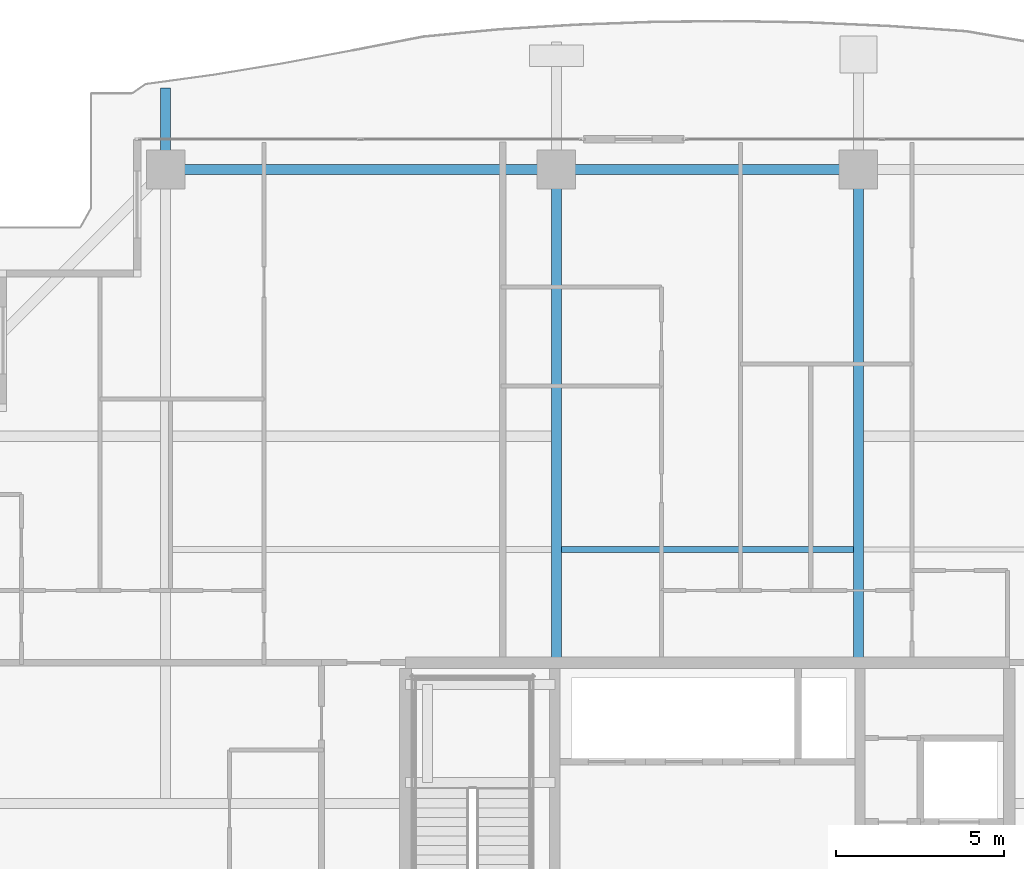
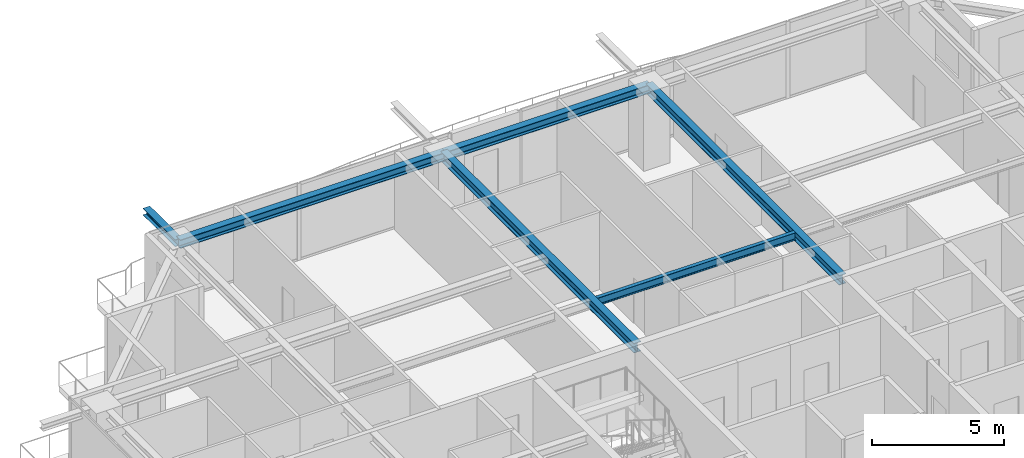
# One storey, part 19 of 37: 6 beams.
"""IFC4 building model written with IfcOpenShell, lengths in metres."""

from ifc_helpers import new_model, si_unit, direction, frame, origin, origin_2d, place, context, subcontext, project, spatial, i_section, extrude, source, transform, mapped, material, material_profile, profile_set, type_object, element, save


model = new_model("IFC4")

# Units and contexts
model_context = context("Model", 3, precision=1e-05, world=origin(), true_north=direction((0.0, 1.0)))
body_context = subcontext(model_context, "Body", "Model", "MODEL_VIEW")
ifc_project = project(units=[si_unit("LENGTHUNIT", "METRE"), si_unit("AREAUNIT", "SQUARE_METRE"), si_unit("VOLUMEUNIT", "CUBIC_METRE"), si_unit("PLANEANGLEUNIT", "RADIAN"), si_unit("MASSUNIT", "GRAM", prefix="KILO")], contexts=[model_context])

# Site, building, storey
site_placement = place(None, origin())
site = spatial("IfcSite", under=ifc_project, at=site_placement, CompositionType="ELEMENT")
building_placement = place(site_placement, origin())
building = spatial("IfcBuilding", under=site, at=building_placement, Name="Serunith Strait Residences", CompositionType="ELEMENT")
storey_placement = place(building_placement, frame((0.0, 0.0, 279.75)))
storey = spatial("IfcBuildingStorey", under=building, at=storey_placement, Name="L70", CompositionType="ELEMENT", Elevation=279.75)

# Beams
ifc_material = material(Name="Steel S355J2", Category="steel")
ifc_material_profile_1 = material_profile(ifc_material, i_section(OverallWidth=0.169921875, OverallDepth=0.360107421875, WebThickness=0.008056640625, FlangeThickness=0.0126953125, FilletRadius=0.01806640625, at=origin_2d()), Name="IPE 360")
ifc_profile_set_1 = profile_set([ifc_material_profile_1], Name="Steel S355J2")
beam_type_1 = type_object("IfcBeamType", Name="BM-IPE360", PredefinedType="JOIST", material=ifc_profile_set_1)
shared_shape_1 = source(origin(), body_context, "Body", "SweptSolid", [
    extrude(i_section(OverallWidth=0.169921875, OverallDepth=0.360107421875, WebThickness=0.008056640625, FlangeThickness=0.0126953125, FilletRadius=0.01806640625, at=origin_2d()), origin(), (0.0, 0.0, 1.0), 8.699951171875),
])
beam_1_placement = place(storey_placement, frame((28.050048828125, 36.97509765625, 3.406982421875), z_axis=(1.0, 0.0, 0.0), x_axis=(0.0, 1.0, 0.0)))
element("IfcBeam", 1, at=beam_1_placement, inside=storey, type_object=beam_type_1, Name="L70 Composite Floor Joist 05", PredefinedType="JOIST", context=body_context, shape_type="MappedRepresentation", body=[
    mapped(shared_shape_1, transform((0.0, 0.0, 0.0), scale=1.0)),
])
ifc_material_profile_2 = material_profile(ifc_material, i_section(OverallWidth=0.300048828125, OverallDepth=0.449951171875, WebThickness=0.013916015625, FlangeThickness=0.02587890625, FilletRadius=0.027099609375, at=origin_2d()), Name="HEB 450")
ifc_profile_set_2 = profile_set([ifc_material_profile_2], Name="Steel S355J2")
beam_type_2 = type_object("IfcBeamType", Name="BM-HEB450", PredefinedType="BEAM", material=ifc_profile_set_2)
shared_shape_2 = source(origin(), body_context, "Body", "SweptSolid", [
    extrude(i_section(OverallWidth=0.300048828125, OverallDepth=0.449951171875, WebThickness=0.013916015625, FlangeThickness=0.02587890625, FilletRadius=0.027099609375, at=origin_2d()), origin(), (0.0, 0.0, 1.0), 14.699951171875),
])
for number, where, z_axis, x_axis, name in (
    (2, (27.89990234375, 33.60009765625, 3.362060546875), (0.0, 1.0, 0.0), (-1.0, 0.0, 0.0), "L70 Primary Floor Girder TC-N2"),
    (3, (36.89990234375, 33.60009765625, 3.362060546875), (0.0, 1.0, 0.0), (-1.0, 0.0, 0.0), "L70 Primary Floor Girder TC-N3"),
):
    element("IfcBeam", number, at=place(storey_placement, frame(where, z_axis=z_axis, x_axis=x_axis)), inside=storey, type_object=beam_type_2, Name=name, PredefinedType="BEAM", context=body_context, shape_type="MappedRepresentation", body=[
        mapped(shared_shape_2, transform((0.0, 0.0, 0.0), scale=1.0)),
    ])
ifc_material_profile_3 = material_profile(ifc_material, i_section(OverallWidth=0.300048828125, OverallDepth=0.39990234375, WebThickness=0.013427734375, FlangeThickness=0.02392578125, FilletRadius=0.027099609375, at=origin_2d()), Name="HEB 400")
ifc_profile_set_3 = profile_set([ifc_material_profile_3], Name="Steel S355J2")
beam_type_3 = type_object("IfcBeamType", Name="BM-HEB400", PredefinedType="BEAM", material=ifc_profile_set_3)
shared_shape_3 = source(origin(), body_context, "Body", "SweptSolid", [
    extrude(i_section(OverallWidth=0.300048828125, OverallDepth=0.39990234375, WebThickness=0.013427734375, FlangeThickness=0.02392578125, FilletRadius=0.027099609375, at=origin_2d()), origin(), (0.0, 0.0, 1.0), 11.64990234375),
])
beam_2_placement = place(storey_placement, frame((27.89990234375, 48.300048828125, 3.386962890625), z_axis=(-1.0, 0.0, 0.0), x_axis=(0.0, -1.0, 0.0)))
element("IfcBeam", 4, at=beam_2_placement, inside=storey, type_object=beam_type_3, Name="L70 Perimeter Ring Beam 11", PredefinedType="BEAM", context=body_context, shape_type="MappedRepresentation", body=[
    mapped(shared_shape_3, transform((0.0, 0.0, 0.0), scale=1.0)),
])
shared_shape_4 = source(origin(), body_context, "Body", "SweptSolid", [
    extrude(i_section(OverallWidth=0.300048828125, OverallDepth=0.39990234375, WebThickness=0.013427734375, FlangeThickness=0.02392578125, FilletRadius=0.027099609375, at=origin_2d()), origin(), (0.0, 0.0, 1.0), 9.0),
])
beam_3_placement = place(storey_placement, frame((36.89990234375, 48.300048828125, 3.386962890625), z_axis=(-1.0, 0.0, 0.0), x_axis=(0.0, -1.0, 0.0)))
element("IfcBeam", 5, at=beam_3_placement, inside=storey, type_object=beam_type_3, Name="L70 Perimeter Ring Beam 10", PredefinedType="BEAM", context=body_context, shape_type="MappedRepresentation", body=[
    mapped(shared_shape_4, transform((0.0, 0.0, 0.0), scale=1.0)),
])
ifc_material_profile_4 = material_profile(ifc_material, i_section(OverallWidth=0.300048828125, OverallDepth=0.320068359375, WebThickness=0.011474609375, FlangeThickness=0.0205078125, FilletRadius=0.027099609375, at=origin_2d()), Name="HEB 320")
ifc_profile_set_4 = profile_set([ifc_material_profile_4], Name="Steel S355J2")
beam_type_4 = type_object("IfcBeamType", Name="BM-HEB320", PredefinedType="BEAM", material=ifc_profile_set_4)
shared_shape_5 = source(origin(), body_context, "Body", "SweptSolid", [
    extrude(i_section(OverallWidth=0.300048828125, OverallDepth=0.320068359375, WebThickness=0.011474609375, FlangeThickness=0.0205078125, FilletRadius=0.027099609375, at=origin_2d()), origin(), (0.0, 0.0, 1.0), 2.423583984375),
])
beam_4_placement = place(storey_placement, frame((16.25, 48.300048828125, 3.39697265625), z_axis=(0.0, 1.0, 0.0), x_axis=(-1.0, 0.0, 0.0)))
element("IfcBeam", 6, at=beam_4_placement, inside=storey, type_object=beam_type_4, Name="L71 Cantilevered Balcony Rib TC-N1", PredefinedType="BEAM", context=body_context, shape_type="MappedRepresentation", body=[
    mapped(shared_shape_5, transform((0.0, 0.0, 0.0), scale=1.0)),
])

save(model, "model.ifc")
